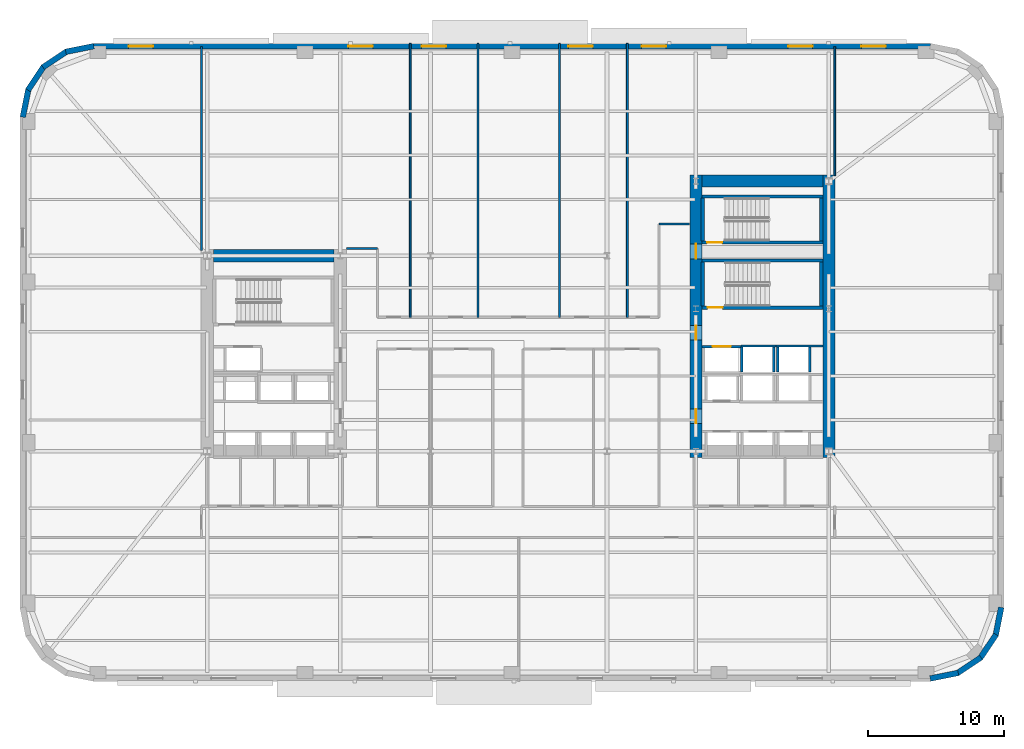
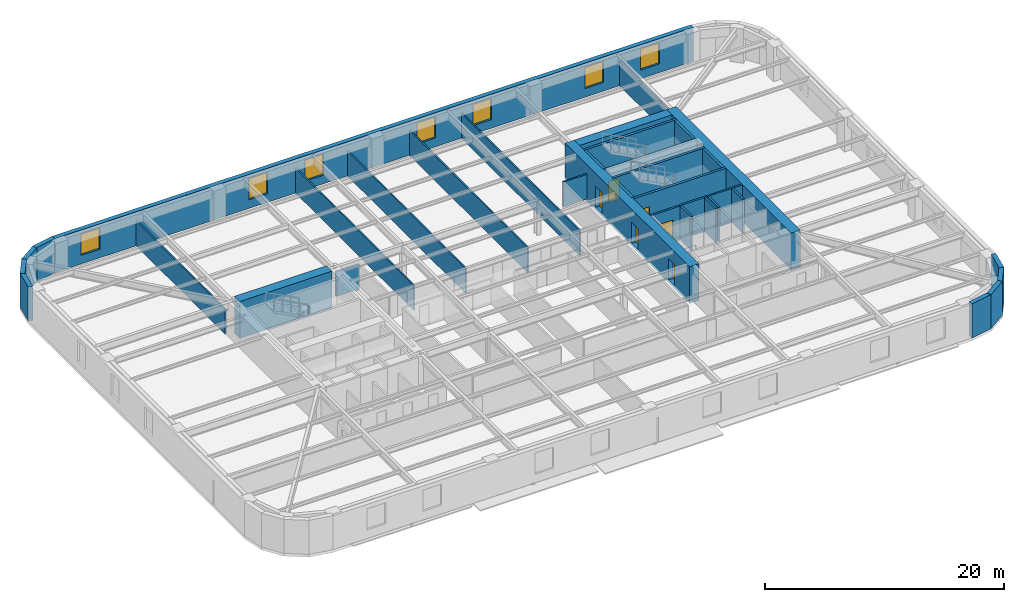
# One storey, part 7 of 14: 36 walls, 7 windows, 6 doors, 13 openings.
"""IFC4 building model written with IfcOpenShell, lengths in metres."""

from ifc_helpers import new_model, si_unit, direction, frame, frame_2d, origin, place, context, subcontext, project, spatial, rectangle, extrude, material, layer, layer_set, type_object, element, fill, save


model = new_model("IFC4")

# Units and contexts
model_context = context("Model", 3, precision=1e-05, world=origin(), true_north=direction((0.0, 1.0)))
body_context = subcontext(model_context, "Body", "Model", "MODEL_VIEW")
ifc_project = project(units=[si_unit("LENGTHUNIT", "METRE"), si_unit("AREAUNIT", "SQUARE_METRE"), si_unit("VOLUMEUNIT", "CUBIC_METRE"), si_unit("PLANEANGLEUNIT", "RADIAN"), si_unit("MASSUNIT", "GRAM", prefix="KILO")], contexts=[model_context])

# Site, building, storey
site_placement = place(None, origin())
site = spatial("IfcSite", under=ifc_project, at=site_placement, CompositionType="ELEMENT")
building_placement = place(site_placement, origin())
building = spatial("IfcBuilding", under=site, at=building_placement, Name="Kolvaren Arena Tower", CompositionType="ELEMENT")
storey_placement = place(building_placement, frame((0.0, 0.0, 87.0)))
storey = spatial("IfcBuildingStorey", under=building, at=storey_placement, Name="L19", CompositionType="ELEMENT", Elevation=87.0)

# Walls
ifc_material_1 = material(Name="Gypsum board acoustic assembly", Category="gypsum")
ifc_layer_1 = layer(ifc_material_1, 0.159912109375)
ifc_layer_set_1 = layer_set([ifc_layer_1], Name="Gypsum board acoustic assembly")
wall_type_1 = type_object("IfcWallType", Name="CORR-160", PredefinedType="PARTITIONING", material=ifc_layer_set_1)
for number, where, z_axis, x_axis, name in (
    (1, (24.820068359375, 34.3798828125, 0.0), (0.0, 0.0, 1.0), (1.0, 0.0, 0.0), "Interior Partition Wall (L19)"),
    (2, (47.820068359375, 36.199951171875, 0.0), (0.0, 0.0, 1.0), (1.0, 0.0, 0.0), "Interior Partition Wall (L19)"),
):
    element("IfcWall", number, at=place(storey_placement, frame(where, z_axis=z_axis, x_axis=x_axis)), inside=storey, type_object=wall_type_1, Name=name, PredefinedType="PARTITIONING", context=body_context, shape_type="SweptSolid", body=[
        extrude(rectangle(XDim=2.260009765625, YDim=0.159912109375, at=frame_2d((1.1298828125, 0.0))), origin(), (0.0, 0.0, 1.0), 2.5400390625),
    ])
ifc_material_2 = material(Name="Concrete 80 MPa", Category="concrete")
ifc_layer_2 = layer(ifc_material_2, 0.89990234375)
ifc_layer_set_2 = layer_set([ifc_layer_2], Name="Concrete 80 MPa")
wall_type_2 = type_object("IfcWallType", Name="CWALL-900", PredefinedType="SHEAR", material=ifc_layer_set_2)
wall_1_placement = place(storey_placement, frame((15.0, 33.85009765625, -0.27001953125), z_axis=(0.0, 0.0, 1.0), x_axis=(1.0, 0.0, 0.0)))
element("IfcWall", 3, at=wall_1_placement, inside=storey, type_object=wall_type_2, Name="Core Shear Wall WC-NORTH (L19)", PredefinedType="SHEAR", context=body_context, shape_type="SweptSolid", body=[
    extrude(rectangle(XDim=8.89990234375, YDim=0.89990234375, at=frame_2d((4.449951171875, 0.0))), origin(), (0.0, 0.0, 1.0), 3.75),
])

# Wall, openings, doors
wall_2_placement = place(storey_placement, frame((50.550048828125, 19.0, -0.27001953125), z_axis=(0.0, 0.0, 1.0), x_axis=(0.0, 1.0, 0.0)))
wall_2 = element("IfcWall", 4, at=wall_2_placement, inside=storey, type_object=wall_type_2, Name="Core Shear Wall EC-WEST (L19)", PredefinedType="SHEAR", context=body_context, shape_type="SweptSolid", body=[
    extrude(rectangle(XDim=20.800048828125, YDim=0.89990234375, at=frame_2d((10.39990234375, 0.0))), origin(), (0.0, 0.0, 1.0), 3.75),
])
opening_1_placement = place(wall_2_placement, frame((2.5, 0.0, 0.27001953125)))
opening_1 = element("IfcOpeningElement", 5, at=opening_1_placement, cuts=wall_2, Name="Opening D04", PredefinedType="OPENING", context=body_context, shape_type="SweptSolid", body=[
    extrude(rectangle(XDim=1.050048828125, YDim=2.14990234375, at=frame_2d((0.52490234375, 1.074951171875))), frame((0.0, 0.4599609375, 0.0), z_axis=(0.0, -1.0, 0.0), x_axis=(1.0, 0.0, 0.0)), (0.0, 0.0, 1.0), 0.919921875),
])
opening_2_placement = place(wall_2_placement, frame((8.64990234375, 0.0, 0.27001953125)))
opening_2 = element("IfcOpeningElement", 6, at=opening_2_placement, cuts=wall_2, Name="Opening D04", PredefinedType="OPENING", context=body_context, shape_type="SweptSolid", body=[
    extrude(rectangle(XDim=1.050048828125, YDim=2.14990234375, at=frame_2d((0.52490234375, 1.074951171875))), frame((0.0, 0.4599609375, 0.0), z_axis=(0.0, -1.0, 0.0), x_axis=(1.0, 0.0, 0.0)), (0.0, 0.0, 1.0), 0.919921875),
])
opening_3_placement = place(wall_2_placement, frame((14.6201171875, 0.0, 0.27001953125)))
opening_3 = element("IfcOpeningElement", 7, at=opening_3_placement, cuts=wall_2, Name="Opening D03", PredefinedType="OPENING", context=body_context, shape_type="SweptSolid", body=[
    extrude(rectangle(XDim=1.10009765625, YDim=2.14990234375, at=frame_2d((0.550048828125, 1.074951171875))), frame((0.0, 0.4599609375, 0.0), z_axis=(0.0, -1.0, 0.0), x_axis=(1.0, 0.0, 0.0)), (0.0, 0.0, 1.0), 0.919921875),
])
ifc_material_3 = material(Name="Fire-rated steel lobby door", Category="steel")
door_type_1 = type_object("IfcDoorType", Name="DOOR-FF-105", OperationType="NOTDEFINED", PredefinedType="DOOR", material=ifc_material_3)
door_1_placement = place(opening_1_placement, origin())
door_1 = element("IfcDoor", 8, at=door_1_placement, inside=storey, type_object=door_type_1, Name="East Lift Lobby Fire Door (L19)", OperationType="SINGLE_SWING_RIGHT", OverallHeight=2.14990234375, OverallWidth=1.050048828125, PredefinedType="DOOR", context=body_context, shape_type="SweptSolid", body=[
    extrude(rectangle(XDim=1.050048828125, YDim=2.14990234375, at=frame_2d((0.52490234375, 1.074951171875))), frame((0.0, 0.02490234375, 0.0), z_axis=(0.0, -1.0, 0.0), x_axis=(1.0, 0.0, 0.0)), (0.0, 0.0, 1.0), 0.050048828125),
])
fill(opening_1, door_1)
door_2_placement = place(opening_2_placement, origin())
door_2 = element("IfcDoor", 9, at=door_2_placement, inside=storey, type_object=door_type_1, Name="East Firefighter Vestibule Door (L19)", OperationType="SINGLE_SWING_LEFT", OverallHeight=2.14990234375, OverallWidth=1.050048828125, PredefinedType="DOOR", context=body_context, shape_type="SweptSolid", body=[
    extrude(rectangle(XDim=1.050048828125, YDim=2.14990234375, at=frame_2d((0.52490234375, 1.074951171875))), frame((0.0, 0.02490234375, 0.0), z_axis=(0.0, -1.0, 0.0), x_axis=(1.0, 0.0, 0.0)), (0.0, 0.0, 1.0), 0.050048828125),
])
fill(opening_2, door_2)
ifc_material_4 = material(Name="Fire-rated steel exit stair door", Category="steel")
door_type_2 = type_object("IfcDoorType", Name="DOOR-ST-110", OperationType="NOTDEFINED", PredefinedType="DOOR", material=ifc_material_4)
door_3_placement = place(opening_3_placement, origin())
door_3 = element("IfcDoor", 10, at=door_3_placement, inside=storey, type_object=door_type_2, Name="Stair ST-E2 Vestibule Fire Door (L19)", OperationType="SINGLE_SWING_LEFT", OverallHeight=2.14990234375, OverallWidth=1.10009765625, PredefinedType="DOOR", context=body_context, shape_type="SweptSolid", body=[
    extrude(rectangle(XDim=1.10009765625, YDim=2.14990234375, at=frame_2d((0.550048828125, 1.074951171875))), frame((0.0, 0.02490234375, 0.0), z_axis=(0.0, -1.0, 0.0), x_axis=(1.0, 0.0, 0.0)), (0.0, 0.0, 1.0), 0.050048828125),
])
fill(opening_3, door_3)

# Walls
wall_3_placement = place(storey_placement, frame((60.35009765625, 19.0, -0.27001953125), z_axis=(0.0, 0.0, 1.0), x_axis=(0.0, 1.0, 0.0)))
element("IfcWall", 11, at=wall_3_placement, inside=storey, type_object=wall_type_2, Name="Core Shear Wall EC-EAST (L19)", PredefinedType="SHEAR", context=body_context, shape_type="SweptSolid", body=[
    extrude(rectangle(XDim=20.800048828125, YDim=0.89990234375, at=frame_2d((10.39990234375, 0.0))), origin(), (0.0, 0.0, 1.0), 3.75),
])
wall_4_placement = place(storey_placement, frame((51.0, 39.35009765625, -0.27001953125), z_axis=(0.0, 0.0, 1.0), x_axis=(1.0, 0.0, 0.0)))
element("IfcWall", 12, at=wall_4_placement, inside=storey, type_object=wall_type_2, Name="Core Shear Wall EC-NORTH (L19)", PredefinedType="SHEAR", context=body_context, shape_type="SweptSolid", body=[
    extrude(rectangle(XDim=8.89990234375, YDim=0.89990234375, at=frame_2d((4.449951171875, 0.0))), origin(), (0.0, 0.0, 1.0), 3.75),
])
ifc_material_5 = material(Name="Precast concrete C50/60", Category="concrete")
ifc_layer_3 = layer(ifc_material_5, 0.419921875)
ifc_layer_set_3 = layer_set([ifc_layer_3], Name="Precast concrete C50/60")
wall_type_3 = type_object("IfcWallType", Name="EXT-PIER1", PredefinedType="SOLIDWALL", material=ifc_layer_set_3)
for number, where, z_axis, x_axis, name in (
    (13, (69.87548828125, 3.1171875, 0.0), (0.0, 0.0, 1.0), (-0.9807762837, -0.195135546048, 0.0), "Exterior Precast Masonry-Frame Wall (L19)"),
    (14, (71.5517578125, 4.256103515625, 0.0), (0.0, 0.0, 1.0), (-0.831515102434, -0.555502146192, 0.0), "Exterior Precast Masonry-Frame Wall (L19)"),
    (15, (72.664306640625, 5.9501953125, 0.0), (0.0, 0.0, 1.0), (-0.555502146192, -0.831515102434, 0.0), "Exterior Precast Masonry-Frame Wall (L19)"),
    (16, (73.0439453125, 7.94091796875, 0.0), (0.0, 0.0, 1.0), (-0.195135546048, -0.9807762837, 0.0), "Exterior Precast Masonry-Frame Wall (L19)"),
):
    element("IfcWall", number, at=place(storey_placement, frame(where, z_axis=z_axis, x_axis=x_axis)), inside=storey, type_object=wall_type_3, Name=name, PredefinedType="SOLIDWALL", context=body_context, shape_type="SweptSolid", body=[
        extrude(rectangle(XDim=2.10693359375, YDim=0.419921875, at=frame_2d((1.053466796875, 0.0))), origin(), (0.0, 0.0, 1.0), 3.47998046875),
    ])

# Wall, openings, windows
wall_5_placement = place(storey_placement, frame((6.14990234375, 49.2900390625, 0.0), z_axis=(0.0, 0.0, 1.0), x_axis=(1.0, 0.0, 0.0)))
wall_5 = element("IfcWall", 17, at=wall_5_placement, inside=storey, type_object=wall_type_3, Name="Exterior Precast Masonry-Frame Wall (L19)", PredefinedType="SOLIDWALL", context=body_context, shape_type="SweptSolid", body=[
    extrude(rectangle(XDim=61.7001953125, YDim=0.419921875, at=frame_2d((30.85009765625, 0.0))), origin(), (0.0, 0.0, 1.0), 3.47998046875),
])
opening_4_placement = place(wall_5_placement, frame((2.60009765625, 0.0, 0.8798828125)))
opening_4 = element("IfcOpeningElement", 18, at=opening_4_placement, cuts=wall_5, Name="Opening W02", PredefinedType="OPENING", context=body_context, shape_type="SweptSolid", body=[
    extrude(rectangle(XDim=1.800048828125, YDim=2.14990234375, at=frame_2d((0.89990234375, 1.074951171875))), frame((0.0, 0.219970703125, 0.0), z_axis=(0.0, -1.0, 0.0), x_axis=(1.0, 0.0, 0.0)), (0.0, 0.0, 1.0), 0.43994140625),
])
opening_5_placement = place(wall_5_placement, frame((18.800048828125, 0.0, 0.8798828125)))
opening_5 = element("IfcOpeningElement", 19, at=opening_5_placement, cuts=wall_5, Name="Opening W02", PredefinedType="OPENING", context=body_context, shape_type="SweptSolid", body=[
    extrude(rectangle(XDim=1.800048828125, YDim=2.14990234375, at=frame_2d((0.89990234375, 1.074951171875))), frame((0.0, 0.219970703125, 0.0), z_axis=(0.0, -1.0, 0.0), x_axis=(1.0, 0.0, 0.0)), (0.0, 0.0, 1.0), 0.43994140625),
])
opening_6_placement = place(wall_5_placement, frame((24.199951171875, 0.0, 0.8798828125)))
opening_6 = element("IfcOpeningElement", 20, at=opening_6_placement, cuts=wall_5, Name="Opening W02", PredefinedType="OPENING", context=body_context, shape_type="SweptSolid", body=[
    extrude(rectangle(XDim=1.800048828125, YDim=2.14990234375, at=frame_2d((0.89990234375, 1.074951171875))), frame((0.0, 0.219970703125, 0.0), z_axis=(0.0, -1.0, 0.0), x_axis=(1.0, 0.0, 0.0)), (0.0, 0.0, 1.0), 0.43994140625),
])
opening_7_placement = place(wall_5_placement, frame((35.0, 0.0, 0.8798828125)))
opening_7 = element("IfcOpeningElement", 21, at=opening_7_placement, cuts=wall_5, Name="Opening W02", PredefinedType="OPENING", context=body_context, shape_type="SweptSolid", body=[
    extrude(rectangle(XDim=1.800048828125, YDim=2.14990234375, at=frame_2d((0.89990234375, 1.074951171875))), frame((0.0, 0.219970703125, 0.0), z_axis=(0.0, -1.0, 0.0), x_axis=(1.0, 0.0, 0.0)), (0.0, 0.0, 1.0), 0.43994140625),
])
opening_8_placement = place(wall_5_placement, frame((40.39990234375, 0.0, 0.8798828125)))
opening_8 = element("IfcOpeningElement", 22, at=opening_8_placement, cuts=wall_5, Name="Opening W02", PredefinedType="OPENING", context=body_context, shape_type="SweptSolid", body=[
    extrude(rectangle(XDim=1.800048828125, YDim=2.14990234375, at=frame_2d((0.89990234375, 1.074951171875))), frame((0.0, 0.219970703125, 0.0), z_axis=(0.0, -1.0, 0.0), x_axis=(1.0, 0.0, 0.0)), (0.0, 0.0, 1.0), 0.43994140625),
])
opening_9_placement = place(wall_5_placement, frame((51.199951171875, 0.0, 0.8798828125)))
opening_9 = element("IfcOpeningElement", 23, at=opening_9_placement, cuts=wall_5, Name="Opening W02", PredefinedType="OPENING", context=body_context, shape_type="SweptSolid", body=[
    extrude(rectangle(XDim=1.800048828125, YDim=2.14990234375, at=frame_2d((0.89990234375, 1.074951171875))), frame((0.0, 0.219970703125, 0.0), z_axis=(0.0, -1.0, 0.0), x_axis=(1.0, 0.0, 0.0)), (0.0, 0.0, 1.0), 0.43994140625),
])
opening_10_placement = place(wall_5_placement, frame((56.60009765625, 0.0, 0.8798828125)))
opening_10 = element("IfcOpeningElement", 24, at=opening_10_placement, cuts=wall_5, Name="Opening W02", PredefinedType="OPENING", context=body_context, shape_type="SweptSolid", body=[
    extrude(rectangle(XDim=1.800048828125, YDim=2.14990234375, at=frame_2d((0.89990234375, 1.074951171875))), frame((0.0, 0.219970703125, 0.0), z_axis=(0.0, -1.0, 0.0), x_axis=(1.0, 0.0, 0.0)), (0.0, 0.0, 1.0), 0.43994140625),
])
ifc_material_6 = material(Name="Triple-glazed low-E aluminium window", Category="aluminium")
window_type = type_object("IfcWindowType", Name="WIN-OFF-B", PartitioningType="DOUBLE_PANEL_VERTICAL", PredefinedType="WINDOW", material=ifc_material_6)
window_1_placement = place(opening_4_placement, origin())
window_1 = element("IfcWindow", 25, at=window_1_placement, inside=storey, type_object=window_type, Name="Punched Precast-Pier Window (L19)", OverallHeight=2.14990234375, OverallWidth=1.800048828125, PartitioningType="DOUBLE_PANEL_VERTICAL", PredefinedType="WINDOW", context=body_context, shape_type="SweptSolid", body=[
    extrude(rectangle(XDim=1.800048828125, YDim=2.14990234375, at=frame_2d((0.89990234375, 1.074951171875))), frame((0.0, 0.030029296875, 0.0), z_axis=(0.0, -1.0, 0.0), x_axis=(1.0, 0.0, 0.0)), (0.0, 0.0, 1.0), 0.06005859375),
])
fill(opening_4, window_1)
window_2_placement = place(opening_5_placement, origin())
window_2 = element("IfcWindow", 26, at=window_2_placement, inside=storey, type_object=window_type, Name="Punched Precast-Pier Window (L19)", OverallHeight=2.14990234375, OverallWidth=1.800048828125, PartitioningType="DOUBLE_PANEL_VERTICAL", PredefinedType="WINDOW", context=body_context, shape_type="SweptSolid", body=[
    extrude(rectangle(XDim=1.800048828125, YDim=2.14990234375, at=frame_2d((0.89990234375, 1.074951171875))), frame((0.0, 0.030029296875, 0.0), z_axis=(0.0, -1.0, 0.0), x_axis=(1.0, 0.0, 0.0)), (0.0, 0.0, 1.0), 0.06005859375),
])
fill(opening_5, window_2)
window_3_placement = place(opening_6_placement, origin())
window_3 = element("IfcWindow", 27, at=window_3_placement, inside=storey, type_object=window_type, Name="Punched Precast-Pier Window (L19)", OverallHeight=2.14990234375, OverallWidth=1.800048828125, PartitioningType="DOUBLE_PANEL_VERTICAL", PredefinedType="WINDOW", context=body_context, shape_type="SweptSolid", body=[
    extrude(rectangle(XDim=1.800048828125, YDim=2.14990234375, at=frame_2d((0.89990234375, 1.074951171875))), frame((0.0, 0.030029296875, 0.0), z_axis=(0.0, -1.0, 0.0), x_axis=(1.0, 0.0, 0.0)), (0.0, 0.0, 1.0), 0.06005859375),
])
fill(opening_6, window_3)
window_4_placement = place(opening_7_placement, origin())
window_4 = element("IfcWindow", 28, at=window_4_placement, inside=storey, type_object=window_type, Name="Punched Precast-Pier Window (L19)", OverallHeight=2.14990234375, OverallWidth=1.800048828125, PartitioningType="DOUBLE_PANEL_VERTICAL", PredefinedType="WINDOW", context=body_context, shape_type="SweptSolid", body=[
    extrude(rectangle(XDim=1.800048828125, YDim=2.14990234375, at=frame_2d((0.89990234375, 1.074951171875))), frame((0.0, 0.030029296875, 0.0), z_axis=(0.0, -1.0, 0.0), x_axis=(1.0, 0.0, 0.0)), (0.0, 0.0, 1.0), 0.06005859375),
])
fill(opening_7, window_4)
window_5_placement = place(opening_8_placement, origin())
window_5 = element("IfcWindow", 29, at=window_5_placement, inside=storey, type_object=window_type, Name="Punched Precast-Pier Window (L19)", OverallHeight=2.14990234375, OverallWidth=1.800048828125, PartitioningType="DOUBLE_PANEL_VERTICAL", PredefinedType="WINDOW", context=body_context, shape_type="SweptSolid", body=[
    extrude(rectangle(XDim=1.800048828125, YDim=2.14990234375, at=frame_2d((0.89990234375, 1.074951171875))), frame((0.0, 0.030029296875, 0.0), z_axis=(0.0, -1.0, 0.0), x_axis=(1.0, 0.0, 0.0)), (0.0, 0.0, 1.0), 0.06005859375),
])
fill(opening_8, window_5)
window_6_placement = place(opening_9_placement, origin())
window_6 = element("IfcWindow", 30, at=window_6_placement, inside=storey, type_object=window_type, Name="Punched Precast-Pier Window (L19)", OverallHeight=2.14990234375, OverallWidth=1.800048828125, PartitioningType="DOUBLE_PANEL_VERTICAL", PredefinedType="WINDOW", context=body_context, shape_type="SweptSolid", body=[
    extrude(rectangle(XDim=1.800048828125, YDim=2.14990234375, at=frame_2d((0.89990234375, 1.074951171875))), frame((0.0, 0.030029296875, 0.0), z_axis=(0.0, -1.0, 0.0), x_axis=(1.0, 0.0, 0.0)), (0.0, 0.0, 1.0), 0.06005859375),
])
fill(opening_9, window_6)
window_7_placement = place(opening_10_placement, origin())
window_7 = element("IfcWindow", 31, at=window_7_placement, inside=storey, type_object=window_type, Name="Punched Precast-Pier Window (L19)", OverallHeight=2.14990234375, OverallWidth=1.800048828125, PartitioningType="DOUBLE_PANEL_VERTICAL", PredefinedType="WINDOW", context=body_context, shape_type="SweptSolid", body=[
    extrude(rectangle(XDim=1.800048828125, YDim=2.14990234375, at=frame_2d((0.89990234375, 1.074951171875))), frame((0.0, 0.030029296875, 0.0), z_axis=(0.0, -1.0, 0.0), x_axis=(1.0, 0.0, 0.0)), (0.0, 0.0, 1.0), 0.06005859375),
])
fill(opening_10, window_7)

# Walls
for number, where, z_axis, x_axis, name in (
    (32, (4.12451171875, 48.8828125, 0.0), (0.0, 0.0, 1.0), (0.9807762837, 0.195135546048, 0.0), "Exterior Precast Masonry-Frame Wall (L19)"),
    (33, (2.4482421875, 47.743896484375, 0.0), (0.0, 0.0, 1.0), (0.831515102434, 0.555502146192, 0.0), "Exterior Precast Masonry-Frame Wall (L19)"),
    (34, (1.335693359375, 46.0498046875, 0.0), (0.0, 0.0, 1.0), (0.555502146192, 0.831515102434, 0.0), "Exterior Precast Masonry-Frame Wall (L19)"),
    (35, (0.9560546875, 44.05908203125, 0.0), (0.0, 0.0, 1.0), (0.195135546048, 0.9807762837, 0.0), "Exterior Precast Masonry-Frame Wall (L19)"),
):
    element("IfcWall", number, at=place(storey_placement, frame(where, z_axis=z_axis, x_axis=x_axis)), inside=storey, type_object=wall_type_3, Name=name, PredefinedType="SOLIDWALL", context=body_context, shape_type="SweptSolid", body=[
        extrude(rectangle(XDim=2.10693359375, YDim=0.419921875, at=frame_2d((1.053466796875, 0.0))), origin(), (0.0, 0.0, 1.0), 3.47998046875),
    ])
ifc_material_7 = material(Name="Gypsum board partition assembly", Category="gypsum")
ifc_layer_4 = layer(ifc_material_7, 0.135009765625)
ifc_layer_set_4 = layer_set([ifc_layer_4], Name="Gypsum board partition assembly")
wall_type_4 = type_object("IfcWallType", Name="PART-135", PredefinedType="PARTITIONING", material=ifc_layer_set_4)
for number, where, z_axis, x_axis, name in (
    (36, (29.5, 29.320068359375, 0.0), (0.0, 0.0, 1.0), (0.0, 1.0, 0.0), "Interior Partition Wall (L19)"),
    (37, (34.5, 29.320068359375, 0.0), (0.0, 0.0, 1.0), (0.0, 1.0, 0.0), "Interior Partition Wall (L19)"),
    (38, (40.5, 29.320068359375, 0.0), (0.0, 0.0, 1.0), (0.0, 1.0, 0.0), "Interior Partition Wall (L19)"),
    (39, (45.5, 29.320068359375, 0.0), (0.0, 0.0, 1.0), (0.0, 1.0, 0.0), "Interior Partition Wall (L19)"),
):
    element("IfcWall", number, at=place(storey_placement, frame(where, z_axis=z_axis, x_axis=x_axis)), inside=storey, type_object=wall_type_4, Name=name, PredefinedType="PARTITIONING", context=body_context, shape_type="SweptSolid", body=[
        extrude(rectangle(XDim=20.179931640625, YDim=0.135009765625, at=frame_2d((10.08984375, 0.0))), origin(), (0.0, 0.0, 1.0), 2.5400390625),
    ])
wall_6_placement = place(storey_placement, frame((14.1201171875, 34.25, 0.0), z_axis=(0.0, 0.0, 1.0), x_axis=(0.0, 1.0, 0.0)))
element("IfcWall", 40, at=wall_6_placement, inside=storey, type_object=wall_type_4, Name="Interior Partition Wall (L19)", PredefinedType="PARTITIONING", context=body_context, shape_type="SweptSolid", body=[
    extrude(rectangle(XDim=15.010009765625, YDim=0.135009765625, at=frame_2d((7.5048828125, 0.0))), origin(), (0.0, 0.0, 1.0), 2.5400390625),
])
wall_7_placement = place(storey_placement, frame((60.780029296875, 39.75, 0.0), z_axis=(0.0, 0.0, 1.0), x_axis=(0.0, 1.0, 0.0)))
element("IfcWall", 41, at=wall_7_placement, inside=storey, type_object=wall_type_4, Name="Interior Partition Wall (L19)", PredefinedType="PARTITIONING", context=body_context, shape_type="SweptSolid", body=[
    extrude(rectangle(XDim=9.510009765625, YDim=0.135009765625, at=frame_2d((4.7548828125, 0.0))), origin(), (0.0, 0.0, 1.0), 2.5400390625),
])

# Wall, opening, door
ifc_material_8 = material(Name="Concrete 45 MPa", Category="concrete")
ifc_layer_5 = layer(ifc_material_8, 0.25)
ifc_layer_set_5 = layer_set([ifc_layer_5], Name="Concrete 45 MPa")
wall_type_5 = type_object("IfcWallType", Name="SHAFT-250", PredefinedType="SOLIDWALL", material=ifc_layer_set_5)
wall_8_placement = place(storey_placement, frame((59.89990234375, 30.030029296875, 0.0), z_axis=(0.0, 0.0, 1.0), x_axis=(-1.0, 0.0, 0.0)))
wall_8 = element("IfcWall", 42, at=wall_8_placement, inside=storey, type_object=wall_type_5, Name="Core Shaft Wall (L19)", PredefinedType="SOLIDWALL", context=body_context, shape_type="SweptSolid", body=[
    extrude(rectangle(XDim=8.89990234375, YDim=0.239990234375, at=frame_2d((4.449951171875, 0.0))), origin(), (0.0, 0.0, 1.0), 3.47998046875),
])
opening_11_placement = place(wall_8_placement, frame((7.3798828125, 0.0, 0.0)))
opening_11 = element("IfcOpeningElement", 43, at=opening_11_placement, cuts=wall_8, Name="Opening D03", PredefinedType="OPENING", context=body_context, shape_type="SweptSolid", body=[
    extrude(rectangle(XDim=1.10009765625, YDim=2.14990234375, at=frame_2d((0.550048828125, 1.074951171875))), frame((0.0, 0.1298828125, 0.0), z_axis=(0.0, -1.0, 0.0), x_axis=(1.0, 0.0, 0.0)), (0.0, 0.0, 1.0), 0.260009765625),
])
door_4_placement = place(opening_11_placement, origin())
door_4 = element("IfcDoor", 44, at=door_4_placement, inside=storey, type_object=door_type_2, Name="Stair ST-E1 Fire Door (L19)", OperationType="SINGLE_SWING_LEFT", OverallHeight=2.14990234375, OverallWidth=1.10009765625, PredefinedType="DOOR", context=body_context, shape_type="SweptSolid", body=[
    extrude(rectangle(XDim=1.10009765625, YDim=2.14990234375, at=frame_2d((0.550048828125, 1.074951171875))), frame((0.0, 0.02490234375, 0.0), z_axis=(0.0, -1.0, 0.0), x_axis=(1.0, 0.0, 0.0)), (0.0, 0.0, 1.0), 0.050048828125),
])
fill(opening_11, door_4)

# Walls
wall_9_placement = place(storey_placement, frame((51.0, 33.5, 0.0), z_axis=(0.0, 0.0, 1.0), x_axis=(1.0, 0.0, 0.0)))
element("IfcWall", 45, at=wall_9_placement, inside=storey, type_object=wall_type_5, Name="Core Shaft Wall (L19)", PredefinedType="SOLIDWALL", context=body_context, shape_type="SweptSolid", body=[
    extrude(rectangle(XDim=8.89990234375, YDim=0.239990234375, at=frame_2d((4.449951171875, 0.0))), origin(), (0.0, 0.0, 1.0), 3.47998046875),
])
for number, where, z_axis, x_axis, name in (
    (46, (51.06005859375, 30.14990234375, 0.0), (0.0, 0.0, 1.0), (0.0, 1.0, 0.0), "Core Shaft Wall (L19)"),
    (47, (59.780029296875, 30.14990234375, 0.0), (0.0, 0.0, 1.0), (0.0, 1.0, 0.0), "Core Shaft Wall (L19)"),
):
    element("IfcWall", number, at=place(storey_placement, frame(where, z_axis=z_axis, x_axis=x_axis)), inside=storey, type_object=wall_type_5, Name=name, PredefinedType="SOLIDWALL", context=body_context, shape_type="SweptSolid", body=[
        extrude(rectangle(XDim=3.22998046875, YDim=0.239990234375, at=frame_2d((1.614990234375, 0.0))), origin(), (0.0, 0.0, 1.0), 3.47998046875),
    ])

# Wall, opening, door
wall_10_placement = place(storey_placement, frame((59.89990234375, 34.830078125, 0.0), z_axis=(0.0, 0.0, 1.0), x_axis=(-1.0, 0.0, 0.0)))
wall_10 = element("IfcWall", 48, at=wall_10_placement, inside=storey, type_object=wall_type_5, Name="Core Shaft Wall (L19)", PredefinedType="SOLIDWALL", context=body_context, shape_type="SweptSolid", body=[
    extrude(rectangle(XDim=8.89990234375, YDim=0.239990234375, at=frame_2d((4.449951171875, 0.0))), origin(), (0.0, 0.0, 1.0), 3.47998046875),
])
opening_12_placement = place(wall_10_placement, frame((7.419921875, 0.0, 0.0)))
opening_12 = element("IfcOpeningElement", 49, at=opening_12_placement, cuts=wall_10, Name="Opening D03", PredefinedType="OPENING", context=body_context, shape_type="SweptSolid", body=[
    extrude(rectangle(XDim=1.10009765625, YDim=2.14990234375, at=frame_2d((0.550048828125, 1.074951171875))), frame((0.0, 0.1298828125, 0.0), z_axis=(0.0, -1.0, 0.0), x_axis=(1.0, 0.0, 0.0)), (0.0, 0.0, 1.0), 0.260009765625),
])
door_5_placement = place(opening_12_placement, origin())
door_5 = element("IfcDoor", 50, at=door_5_placement, inside=storey, type_object=door_type_2, Name="Stair ST-E2 Fire Door (L19)", OperationType="SINGLE_SWING_LEFT", OverallHeight=2.14990234375, OverallWidth=1.10009765625, PredefinedType="DOOR", context=body_context, shape_type="SweptSolid", body=[
    extrude(rectangle(XDim=1.10009765625, YDim=2.14990234375, at=frame_2d((0.550048828125, 1.074951171875))), frame((0.0, 0.02490234375, 0.0), z_axis=(0.0, -1.0, 0.0), x_axis=(1.0, 0.0, 0.0)), (0.0, 0.0, 1.0), 0.050048828125),
])
fill(opening_12, door_5)

# Walls
wall_11_placement = place(storey_placement, frame((51.0, 38.219970703125, 0.0), z_axis=(0.0, 0.0, 1.0), x_axis=(1.0, 0.0, 0.0)))
element("IfcWall", 51, at=wall_11_placement, inside=storey, type_object=wall_type_5, Name="Core Shaft Wall (L19)", PredefinedType="SOLIDWALL", context=body_context, shape_type="SweptSolid", body=[
    extrude(rectangle(XDim=8.89990234375, YDim=0.239990234375, at=frame_2d((4.449951171875, 0.0))), origin(), (0.0, 0.0, 1.0), 3.47998046875),
])
for number, where, z_axis, x_axis, name in (
    (52, (51.06005859375, 34.949951171875, 0.0), (0.0, 0.0, 1.0), (0.0, 1.0, 0.0), "Core Shaft Wall (L19)"),
    (53, (59.780029296875, 34.949951171875, 0.0), (0.0, 0.0, 1.0), (0.0, 1.0, 0.0), "Core Shaft Wall (L19)"),
):
    element("IfcWall", number, at=place(storey_placement, frame(where, z_axis=z_axis, x_axis=x_axis)), inside=storey, type_object=wall_type_5, Name=name, PredefinedType="SOLIDWALL", context=body_context, shape_type="SweptSolid", body=[
        extrude(rectangle(XDim=3.150146484375, YDim=0.239990234375, at=frame_2d((1.5751953125, 0.0))), origin(), (0.0, 0.0, 1.0), 3.47998046875),
    ])
wall_12_placement = place(storey_placement, frame((53.864990234375, 27.205078125, 0.0), z_axis=(0.0, 0.0, 1.0), x_axis=(1.0, 0.0, 0.0)))
element("IfcWall", 54, at=wall_12_placement, inside=storey, type_object=wall_type_5, Name="Core Shaft Wall (L19)", PredefinedType="SOLIDWALL", context=body_context, shape_type="SweptSolid", body=[
    extrude(rectangle(XDim=2.574951171875, YDim=0.179931640625, at=frame_2d((1.28759765625, 0.0))), origin(), (0.0, 0.0, 1.0), 3.47998046875),
])
for number, where, z_axis, x_axis, name in (
    (55, (53.93994140625, 25.284912109375, 0.0), (0.0, 0.0, 1.0), (0.0, 1.0, 0.0), "Core Shaft Wall (L19)"),
    (56, (56.300048828125, 25.284912109375, 0.0), (0.0, 0.0, 1.0), (0.0, 1.0, 0.0), "Core Shaft Wall (L19)"),
):
    element("IfcWall", number, at=place(storey_placement, frame(where, z_axis=z_axis, x_axis=x_axis)), inside=storey, type_object=wall_type_5, Name=name, PredefinedType="SOLIDWALL", context=body_context, shape_type="SweptSolid", body=[
        extrude(rectangle(XDim=1.830078125, YDim=0.179931640625, at=frame_2d((0.9150390625, 0.0))), origin(), (0.0, 0.0, 1.0), 3.47998046875),
    ])
wall_13_placement = place(storey_placement, frame((56.43994140625, 27.205078125, 0.0), z_axis=(0.0, 0.0, 1.0), x_axis=(1.0, 0.0, 0.0)))
element("IfcWall", 57, at=wall_13_placement, inside=storey, type_object=wall_type_5, Name="Core Shaft Wall (L19)", PredefinedType="SOLIDWALL", context=body_context, shape_type="SweptSolid", body=[
    extrude(rectangle(XDim=3.4599609375, YDim=0.179931640625, at=frame_2d((1.72998046875, 0.0))), origin(), (0.0, 0.0, 1.0), 3.47998046875),
])
for number, where, z_axis, x_axis, name in (
    (58, (56.580078125, 25.284912109375, 0.0), (0.0, 0.0, 1.0), (0.0, 1.0, 0.0), "Core Shaft Wall (L19)"),
    (59, (58.93994140625, 25.284912109375, 0.0), (0.0, 0.0, 1.0), (0.0, 1.0, 0.0), "Core Shaft Wall (L19)"),
):
    element("IfcWall", number, at=place(storey_placement, frame(where, z_axis=z_axis, x_axis=x_axis)), inside=storey, type_object=wall_type_5, Name=name, PredefinedType="SOLIDWALL", context=body_context, shape_type="SweptSolid", body=[
        extrude(rectangle(XDim=1.830078125, YDim=0.179931640625, at=frame_2d((0.9150390625, 0.0))), origin(), (0.0, 0.0, 1.0), 3.47998046875),
    ])

# Wall, opening, door
wall_14_placement = place(storey_placement, frame((51.0, 27.155029296875, 0.0), z_axis=(0.0, 0.0, 1.0), x_axis=(1.0, 0.0, 0.0)))
wall_14 = element("IfcWall", 60, at=wall_14_placement, inside=storey, type_object=wall_type_5, Name="Core Shaft Wall (L19)", PredefinedType="SOLIDWALL", context=body_context, shape_type="SweptSolid", body=[
    extrude(rectangle(XDim=2.864990234375, YDim=0.179931640625, at=frame_2d((1.4326171875, 0.0))), origin(), (0.0, 0.0, 1.0), 3.47998046875),
])
opening_13_placement = place(wall_14_placement, frame((0.784912109375, 0.0, 0.0)))
opening_13 = element("IfcOpeningElement", 61, at=opening_13_placement, cuts=wall_14, Name="Opening LD2", PredefinedType="OPENING", context=body_context, shape_type="SweptSolid", body=[
    extrude(rectangle(XDim=1.35009765625, YDim=2.300048828125, at=frame_2d((0.675048828125, 1.14990234375))), frame((0.0, 0.099853515625, 0.0), z_axis=(0.0, -1.0, 0.0), x_axis=(1.0, 0.0, 0.0)), (0.0, 0.0, 1.0), 0.199951171875),
])
ifc_material_9 = material(Name="Stainless steel firefighter lift landing door", Category="steel")
door_type_3 = type_object("IfcDoorType", Name="DOOR-LD-135", OperationType="DOUBLE_DOOR_SLIDING", PredefinedType="DOOR", material=ifc_material_9)
door_6_placement = place(opening_13_placement, origin())
door_6 = element("IfcDoor", 62, at=door_6_placement, inside=storey, type_object=door_type_3, Name="Firefighter Lift FF-E1 Landing Door (L19)", OperationType="DOUBLE_DOOR_SLIDING", OverallHeight=2.300048828125, OverallWidth=1.35009765625, PredefinedType="DOOR", context=body_context, shape_type="SweptSolid", body=[
    extrude(rectangle(XDim=1.35009765625, YDim=2.300048828125, at=frame_2d((0.675048828125, 1.14990234375))), frame((0.0, 0.02490234375, 0.0), z_axis=(0.0, -1.0, 0.0), x_axis=(1.0, 0.0, 0.0)), (0.0, 0.0, 1.0), 0.050048828125),
])
fill(opening_13, door_6)

save(model, "model.ifc")
